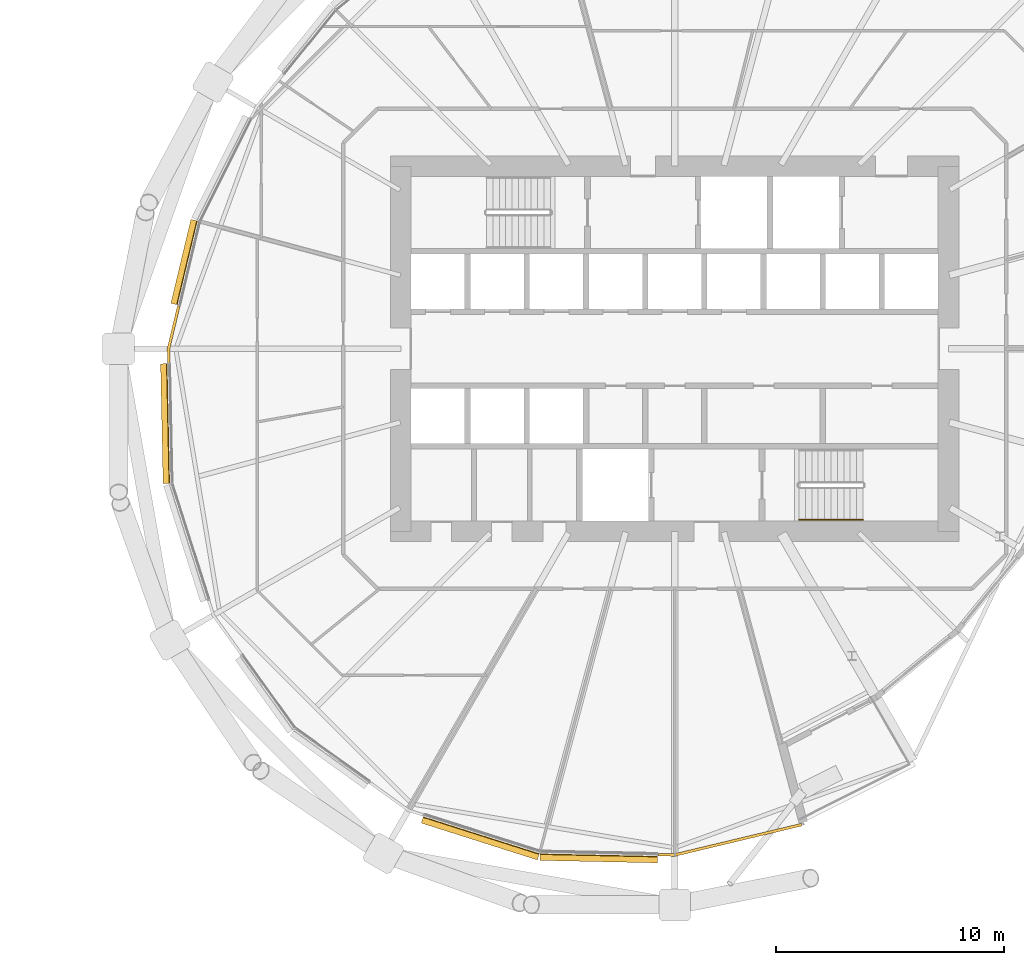
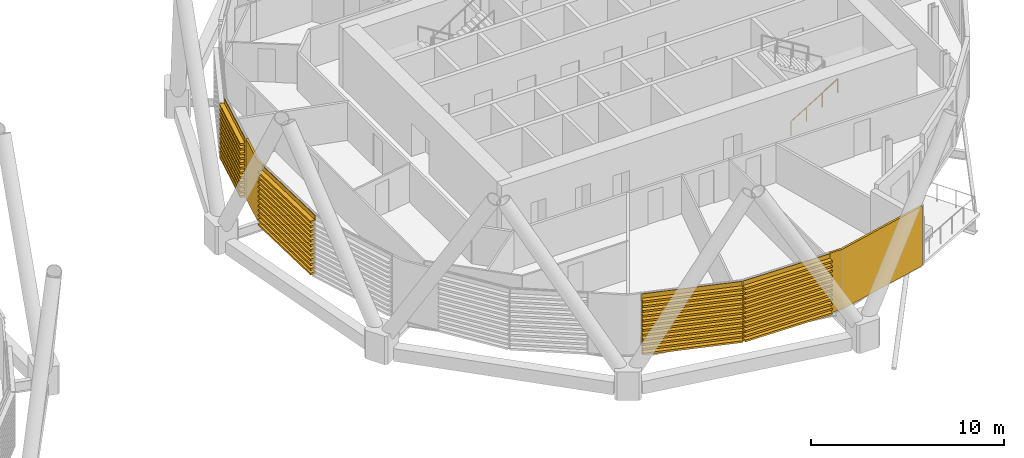
# One storey, part 33 of 36: 6 coverings, 1 railing.
"""IFC4 building model written with IfcOpenShell, lengths in metres."""

from ifc_helpers import new_model, si_unit, direction, frame, origin, origin_2d, place, context, subcontext, project, spatial, polyline, circle, outline, extrude, material, layer, layer_set, material_profile, profile_set, type_object, element, save


model = new_model("IFC4")

# Units and contexts
model_context = context("Model", 3, precision=1e-05, world=origin(), true_north=direction((0.0, 1.0)))
body_context = subcontext(model_context, "Body", "Model", "MODEL_VIEW")
ifc_project = project(units=[si_unit("LENGTHUNIT", "METRE"), si_unit("AREAUNIT", "SQUARE_METRE"), si_unit("VOLUMEUNIT", "CUBIC_METRE"), si_unit("PLANEANGLEUNIT", "RADIAN"), si_unit("MASSUNIT", "GRAM", prefix="KILO")], contexts=[model_context])

# Site, building, storey
site_placement = place(None, origin())
site = spatial("IfcSite", under=ifc_project, at=site_placement, CompositionType="ELEMENT")
building_placement = place(site_placement, origin())
building = spatial("IfcBuilding", under=site, at=building_placement, Name="Rimbun Link Towers", CompositionType="ELEMENT")
storey_placement = place(building_placement, frame((0.0, 0.0, 64.199951171875)))
storey = spatial("IfcBuildingStorey", under=building, at=storey_placement, Name="L15", CompositionType="ELEMENT", Elevation=64.199951171875)

# Coverings
ifc_material_1 = material(Name="Terracotta", Category="masonry")
ifc_layer = layer(ifc_material_1, 0.1201171875)
ifc_layer_set = layer_set([ifc_layer], Name="LINK PIER terracotta cladding 120")
covering_type_1 = type_object("IfcCoveringType", Name="LINK PIER terracotta cladding 120", PredefinedType="CLADDING", material=ifc_layer_set)
covering_1_placement = place(storey_placement, origin())
element("IfcCovering", 1, at=covering_1_placement, inside=storey, type_object=covering_type_1, Name="LINK PIER cladding", PredefinedType="CLADDING", context=body_context, shape_type="SweptSolid", body=[
    extrude(outline(polyline([(9.634033203125, -0.619873046875), (9.62109375, 0.0), (10.067626953125, 1.867431640625), (9.950927734375, 1.895263671875), (9.500732421875, 0.012939453125), (9.51416015625, -0.622314453125), (9.634033203125, -0.619873046875)])), origin(), (0.0, 0.0, 1.0), 3.800048828125),
])
covering_2_placement = place(storey_placement, origin())
element("IfcCovering", 2, at=covering_2_placement, inside=storey, type_object=covering_type_1, Name="LINK PIER cladding", PredefinedType="CLADDING", context=body_context, shape_type="SweptSolid", body=[
    extrude(outline(polyline([(37.293212890625, -20.80322265625), (31.75, -22.12890625), (31.0302734375, -22.11376953125), (31.027587890625, -22.23388671875), (31.762939453125, -22.249267578125), (37.321044921875, -20.919921875), (37.293212890625, -20.80322265625)])), origin(), (0.0, 0.0, 1.0), 3.800048828125),
])

# Railing
ifc_material_2 = material(Name="Stainless steel grade 316", Category="steel")
railing_type = type_object("IfcRailingType", Name="Stair handrail", PredefinedType="HANDRAIL", material=ifc_material_2)
railing_placement = place(storey_placement, frame((37.199951171875, -7.5, 0.1728515625)))
element("IfcRailing", 3, at=railing_placement, inside=storey, type_object=railing_type, Name="L15 ST4 stair handrail 1", PredefinedType="HANDRAIL", context=body_context, shape_type="SweptSolid", body=[
    extrude(circle(Radius=0.02392578125, at=origin_2d()), frame((0.0, 0.0, 0.8759765625), z_axis=(0.851089632645, 0.0, 0.525020415988), x_axis=(0.0, 1.0, 0.0)), (0.0, 0.0, 1.0), 3.2900390625),
    extrude(circle(Radius=0.02099609375, at=origin_2d()), origin(), (0.0, 0.0, 1.0), 0.851806640625),
    extrude(circle(Radius=0.02099609375, at=origin_2d()), frame((0.933349609375, 0.0, 0.57568359375)), (0.0, 0.0, 1.0), 0.851806640625),
    extrude(circle(Radius=0.02099609375, at=origin_2d()), frame((1.86669921875, 0.0, 1.151611328125)), (0.0, 0.0, 1.0), 0.851806640625),
    extrude(circle(Radius=0.02099609375, at=origin_2d()), frame((2.800048828125, 0.0, 1.727294921875)), (0.0, 0.0, 1.0), 0.851806640625),
])

# Coverings
ifc_material_3 = material(Name="Terracotta", Category="masonry")
ifc_material_profile = material_profile(ifc_material_3, outline(polyline([(0.123046875, 0.0), (0.1630859375, 0.0), (0.1630859375, 0.10009765625), (0.423095703125, 0.10009765625), (0.423095703125, 0.219970703125), (0.1630859375, 0.219970703125), (0.1630859375, 0.39990234375), (0.423095703125, 0.39990234375), (0.423095703125, 0.52001953125), (0.1630859375, 0.52001953125), (0.1630859375, 0.699951171875), (0.423095703125, 0.699951171875), (0.423095703125, 0.820068359375), (0.1630859375, 0.820068359375), (0.1630859375, 1.0), (0.423095703125, 1.0), (0.423095703125, 1.1201171875), (0.1630859375, 1.1201171875), (0.1630859375, 1.300048828125), (0.423095703125, 1.300048828125), (0.423095703125, 1.419921875), (0.1630859375, 1.419921875), (0.1630859375, 1.60009765625), (0.423095703125, 1.60009765625), (0.423095703125, 1.719970703125), (0.1630859375, 1.719970703125), (0.1630859375, 1.89990234375), (0.423095703125, 1.89990234375), (0.423095703125, 2.02001953125), (0.1630859375, 2.02001953125), (0.1630859375, 2.199951171875), (0.423095703125, 2.199951171875), (0.423095703125, 2.320068359375), (0.1630859375, 2.320068359375), (0.1630859375, 2.5), (0.423095703125, 2.5), (0.423095703125, 2.6201171875), (0.1630859375, 2.6201171875), (0.1630859375, 2.800048828125), (0.423095703125, 2.800048828125), (0.423095703125, 2.919921875), (0.1630859375, 2.919921875), (0.1630859375, 3.10009765625), (0.423095703125, 3.10009765625), (0.423095703125, 3.219970703125), (0.1630859375, 3.219970703125), (0.1630859375, 3.39990234375), (0.423095703125, 3.39990234375), (0.423095703125, 3.52001953125), (0.1630859375, 3.52001953125), (0.1630859375, 3.800048828125), (0.123046875, 3.800048828125), (0.123046875, 0.0)])), Name="BAGUETTE 120X300")
ifc_profile_set = profile_set([ifc_material_profile], Name="Terracotta")
covering_type_2 = type_object("IfcCoveringType", Name="TERRACOTTA BAGUETTE 120X300 H3800", PredefinedType="CLADDING", material=ifc_profile_set)
covering_3_placement = place(storey_placement, frame((10.074462890625, 1.896484375, 0.0), z_axis=(0.232598449645, 0.972572856512, 0.0), x_axis=(-0.972572856512, 0.232598449645, 0.0)))
element("IfcCovering", 4, at=covering_3_placement, inside=storey, type_object=covering_type_2, Name="TERRACOTTA BAGUETTE", PredefinedType="CLADDING", context=body_context, shape_type="SweptSolid", body=[
    extrude(outline(polyline([(0.123046875, 0.0), (0.1630859375, 0.0), (0.1630859375, 0.10009765625), (0.423095703125, 0.10009765625), (0.423095703125, 0.219970703125), (0.1630859375, 0.219970703125), (0.1630859375, 0.39990234375), (0.423095703125, 0.39990234375), (0.423095703125, 0.52001953125), (0.1630859375, 0.52001953125), (0.1630859375, 0.699951171875), (0.423095703125, 0.699951171875), (0.423095703125, 0.820068359375), (0.1630859375, 0.820068359375), (0.1630859375, 1.0), (0.423095703125, 1.0), (0.423095703125, 1.1201171875), (0.1630859375, 1.1201171875), (0.1630859375, 1.300048828125), (0.423095703125, 1.300048828125), (0.423095703125, 1.419921875), (0.1630859375, 1.419921875), (0.1630859375, 1.60009765625), (0.423095703125, 1.60009765625), (0.423095703125, 1.719970703125), (0.1630859375, 1.719970703125), (0.1630859375, 1.89990234375), (0.423095703125, 1.89990234375), (0.423095703125, 2.02001953125), (0.1630859375, 2.02001953125), (0.1630859375, 2.199951171875), (0.423095703125, 2.199951171875), (0.423095703125, 2.320068359375), (0.1630859375, 2.320068359375), (0.1630859375, 2.5), (0.423095703125, 2.5), (0.423095703125, 2.6201171875), (0.1630859375, 2.6201171875), (0.1630859375, 2.800048828125), (0.423095703125, 2.800048828125), (0.423095703125, 2.919921875), (0.1630859375, 2.919921875), (0.1630859375, 3.10009765625), (0.423095703125, 3.10009765625), (0.423095703125, 3.219970703125), (0.1630859375, 3.219970703125), (0.1630859375, 3.39990234375), (0.423095703125, 3.39990234375), (0.423095703125, 3.52001953125), (0.1630859375, 3.52001953125), (0.1630859375, 3.800048828125), (0.123046875, 3.800048828125), (0.123046875, 0.0)])), origin(), (0.0, 0.0, 1.0), 3.77978515625),
])
covering_4_placement = place(storey_placement, frame((9.7451171875, -5.896240234375, 0.0), z_axis=(-0.021029365909, 0.999778858433, 0.0), x_axis=(-0.999778858433, -0.021029365909, 0.0)))
element("IfcCovering", 5, at=covering_4_placement, inside=storey, type_object=covering_type_2, Name="TERRACOTTA BAGUETTE", PredefinedType="CLADDING", context=body_context, shape_type="SweptSolid", body=[
    extrude(outline(polyline([(0.123046875, 0.0), (0.1630859375, 0.0), (0.1630859375, 0.10009765625), (0.423095703125, 0.10009765625), (0.423095703125, 0.219970703125), (0.1630859375, 0.219970703125), (0.1630859375, 0.39990234375), (0.423095703125, 0.39990234375), (0.423095703125, 0.52001953125), (0.1630859375, 0.52001953125), (0.1630859375, 0.699951171875), (0.423095703125, 0.699951171875), (0.423095703125, 0.820068359375), (0.1630859375, 0.820068359375), (0.1630859375, 1.0), (0.423095703125, 1.0), (0.423095703125, 1.1201171875), (0.1630859375, 1.1201171875), (0.1630859375, 1.300048828125), (0.423095703125, 1.300048828125), (0.423095703125, 1.419921875), (0.1630859375, 1.419921875), (0.1630859375, 1.60009765625), (0.423095703125, 1.60009765625), (0.423095703125, 1.719970703125), (0.1630859375, 1.719970703125), (0.1630859375, 1.89990234375), (0.423095703125, 1.89990234375), (0.423095703125, 2.02001953125), (0.1630859375, 2.02001953125), (0.1630859375, 2.199951171875), (0.423095703125, 2.199951171875), (0.423095703125, 2.320068359375), (0.1630859375, 2.320068359375), (0.1630859375, 2.5), (0.423095703125, 2.5), (0.423095703125, 2.6201171875), (0.1630859375, 2.6201171875), (0.1630859375, 2.800048828125), (0.423095703125, 2.800048828125), (0.423095703125, 2.919921875), (0.1630859375, 2.919921875), (0.1630859375, 3.10009765625), (0.423095703125, 3.10009765625), (0.423095703125, 3.219970703125), (0.1630859375, 3.219970703125), (0.1630859375, 3.39990234375), (0.423095703125, 3.39990234375), (0.423095703125, 3.52001953125), (0.1630859375, 3.52001953125), (0.1630859375, 3.800048828125), (0.123046875, 3.800048828125), (0.123046875, 0.0)])), origin(), (0.0, 0.0, 1.0), 5.24755859375),
])
covering_5_placement = place(storey_placement, frame((25.853759765625, -22.0048828125, 0.0), z_axis=(-0.952966632443, 0.303075233978, 0.0), x_axis=(-0.303075233978, -0.952966632443, 0.0)))
element("IfcCovering", 6, at=covering_5_placement, inside=storey, type_object=covering_type_2, Name="TERRACOTTA BAGUETTE", PredefinedType="CLADDING", context=body_context, shape_type="SweptSolid", body=[
    extrude(outline(polyline([(0.123046875, 0.0), (0.1630859375, 0.0), (0.1630859375, 0.10009765625), (0.423095703125, 0.10009765625), (0.423095703125, 0.219970703125), (0.1630859375, 0.219970703125), (0.1630859375, 0.39990234375), (0.423095703125, 0.39990234375), (0.423095703125, 0.52001953125), (0.1630859375, 0.52001953125), (0.1630859375, 0.699951171875), (0.423095703125, 0.699951171875), (0.423095703125, 0.820068359375), (0.1630859375, 0.820068359375), (0.1630859375, 1.0), (0.423095703125, 1.0), (0.423095703125, 1.1201171875), (0.1630859375, 1.1201171875), (0.1630859375, 1.300048828125), (0.423095703125, 1.300048828125), (0.423095703125, 1.419921875), (0.1630859375, 1.419921875), (0.1630859375, 1.60009765625), (0.423095703125, 1.60009765625), (0.423095703125, 1.719970703125), (0.1630859375, 1.719970703125), (0.1630859375, 1.89990234375), (0.423095703125, 1.89990234375), (0.423095703125, 2.02001953125), (0.1630859375, 2.02001953125), (0.1630859375, 2.199951171875), (0.423095703125, 2.199951171875), (0.423095703125, 2.320068359375), (0.1630859375, 2.320068359375), (0.1630859375, 2.5), (0.423095703125, 2.5), (0.423095703125, 2.6201171875), (0.1630859375, 2.6201171875), (0.1630859375, 2.800048828125), (0.423095703125, 2.800048828125), (0.423095703125, 2.919921875), (0.1630859375, 2.919921875), (0.1630859375, 3.10009765625), (0.423095703125, 3.10009765625), (0.423095703125, 3.219970703125), (0.1630859375, 3.219970703125), (0.1630859375, 3.39990234375), (0.423095703125, 3.39990234375), (0.423095703125, 3.52001953125), (0.1630859375, 3.52001953125), (0.1630859375, 3.800048828125), (0.123046875, 3.800048828125), (0.123046875, 0.0)])), origin(), (0.0, 0.0, 1.0), 5.3359375),
])
covering_6_placement = place(storey_placement, frame((31.000244140625, -22.11328125, 0.0), z_axis=(-0.999778256826, 0.021057948104, 0.0), x_axis=(-0.021057948104, -0.999778256826, 0.0)))
element("IfcCovering", 7, at=covering_6_placement, inside=storey, type_object=covering_type_2, Name="TERRACOTTA BAGUETTE", PredefinedType="CLADDING", context=body_context, shape_type="SweptSolid", body=[
    extrude(outline(polyline([(0.123046875, 0.0), (0.1630859375, 0.0), (0.1630859375, 0.10009765625), (0.423095703125, 0.10009765625), (0.423095703125, 0.219970703125), (0.1630859375, 0.219970703125), (0.1630859375, 0.39990234375), (0.423095703125, 0.39990234375), (0.423095703125, 0.52001953125), (0.1630859375, 0.52001953125), (0.1630859375, 0.699951171875), (0.423095703125, 0.699951171875), (0.423095703125, 0.820068359375), (0.1630859375, 0.820068359375), (0.1630859375, 1.0), (0.423095703125, 1.0), (0.423095703125, 1.1201171875), (0.1630859375, 1.1201171875), (0.1630859375, 1.300048828125), (0.423095703125, 1.300048828125), (0.423095703125, 1.419921875), (0.1630859375, 1.419921875), (0.1630859375, 1.60009765625), (0.423095703125, 1.60009765625), (0.423095703125, 1.719970703125), (0.1630859375, 1.719970703125), (0.1630859375, 1.89990234375), (0.423095703125, 1.89990234375), (0.423095703125, 2.02001953125), (0.1630859375, 2.02001953125), (0.1630859375, 2.199951171875), (0.423095703125, 2.199951171875), (0.423095703125, 2.320068359375), (0.1630859375, 2.320068359375), (0.1630859375, 2.5), (0.423095703125, 2.5), (0.423095703125, 2.6201171875), (0.1630859375, 2.6201171875), (0.1630859375, 2.800048828125), (0.423095703125, 2.800048828125), (0.423095703125, 2.919921875), (0.1630859375, 2.919921875), (0.1630859375, 3.10009765625), (0.423095703125, 3.10009765625), (0.423095703125, 3.219970703125), (0.1630859375, 3.219970703125), (0.1630859375, 3.39990234375), (0.423095703125, 3.39990234375), (0.423095703125, 3.52001953125), (0.1630859375, 3.52001953125), (0.1630859375, 3.800048828125), (0.123046875, 3.800048828125), (0.123046875, 0.0)])), origin(), (0.0, 0.0, 1.0), 5.147705078125),
])

save(model, "model.ifc")
